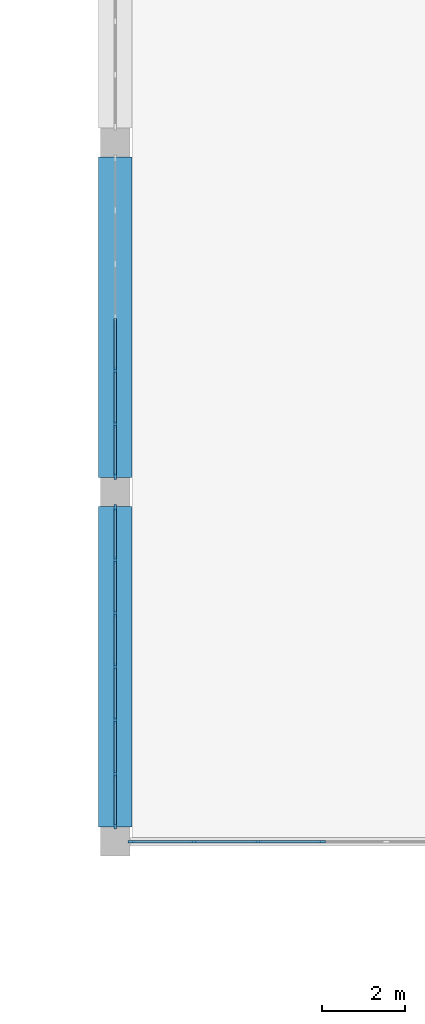
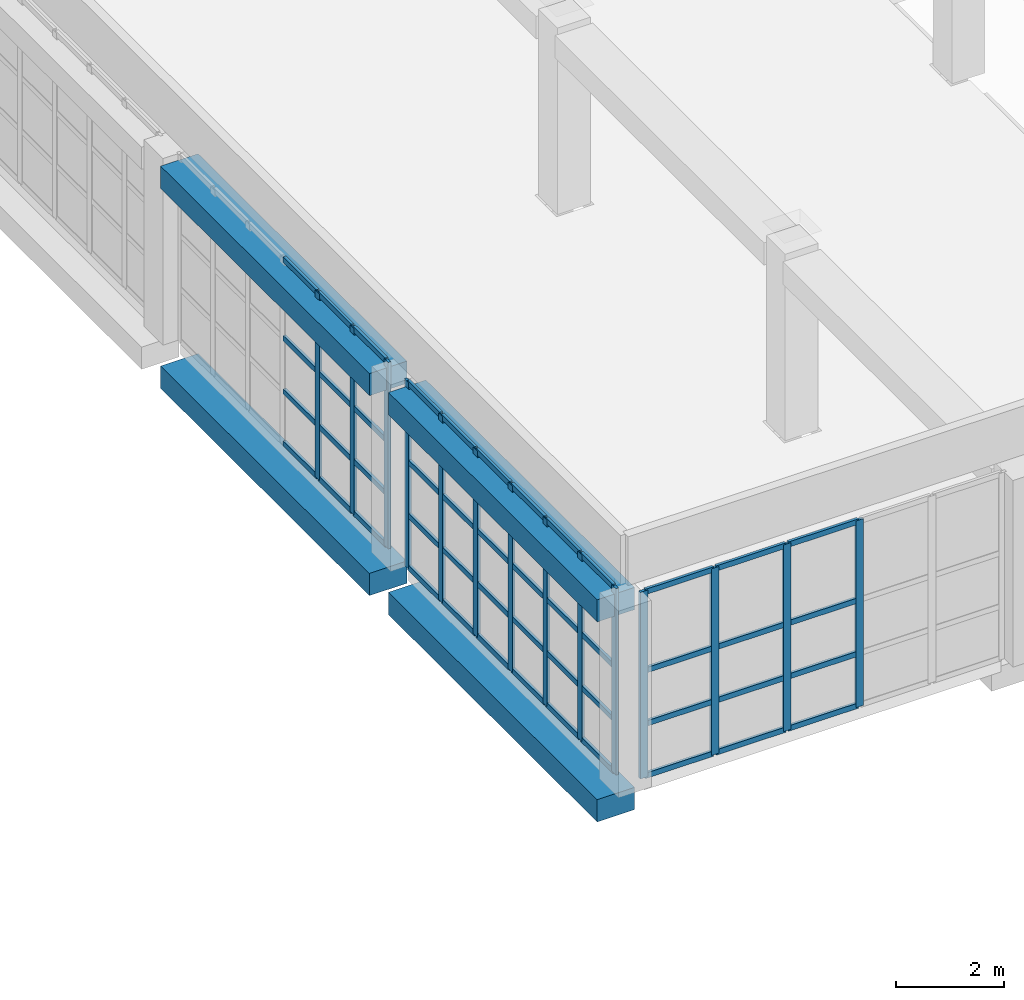
# One storey, part 36 of 162: 62 members, 4 beams, 3 elements without a shape of their own.
"""IFC4 building model written with IfcOpenShell, lengths in metres."""

from ifc_helpers import new_model, si_unit, direction, frame, origin, origin_2d, place, context, subcontext, project, spatial, rectangle, extrude, material, layer, layer_set, material_profile, profile_set, type_object, element, aggregate, save


model = new_model("IFC4")

# Units and contexts
model_context = context("Model", 3, precision=1e-05, world=origin(), true_north=direction((0.0, 1.0)))
body_context = subcontext(model_context, "Body", "Model", "MODEL_VIEW")
ifc_project = project(units=[si_unit("LENGTHUNIT", "METRE"), si_unit("AREAUNIT", "SQUARE_METRE"), si_unit("VOLUMEUNIT", "CUBIC_METRE"), si_unit("PLANEANGLEUNIT", "RADIAN"), si_unit("MASSUNIT", "GRAM", prefix="KILO")], contexts=[model_context])

# Site, building, storey
site_placement = place(None, origin())
site = spatial("IfcSite", under=ifc_project, at=site_placement, CompositionType="ELEMENT")
building_placement = place(site_placement, origin())
building = spatial("IfcBuilding", under=site, at=building_placement, Name="Rain Tree Exposition and Congress Centre", CompositionType="ELEMENT")
storey_placement = place(building_placement, frame((0.0, 0.0, 6.0)))
storey = spatial("IfcBuildingStorey", under=building, at=storey_placement, Name="L01", CompositionType="ELEMENT", Elevation=6.0)

# Curtain wall, members
ifc_material_1 = material(Name="Aluminium", Category="aluminium")
ifc_layer = layer(ifc_material_1, 0.10009765625)
ifc_layer_set = layer_set([ifc_layer], Name="Aluminium")
curtain_wall_type = type_object("IfcCurtainWallType", Name="Curtain wall congress", PredefinedType="NOTDEFINED", material=ifc_layer_set)
curtain_wall_1_placement = place(storey_placement, origin())
curtain_wall_1 = element("IfcCurtainWall", 1, at=curtain_wall_1_placement, inside=storey, type_object=curtain_wall_type, Name="Foyer curtain wall L01 bay 1", PredefinedType="NOTDEFINED")
ifc_material_2 = material(Name="Aluminium", Category="aluminium")
ifc_material_profile_1 = material_profile(ifc_material_2, rectangle(XDim=0.06005859375, YDim=0.159912109375, at=origin_2d()), Name="AL 60x160")
ifc_profile_set_1 = profile_set([ifc_material_profile_1], Name="Aluminium")
member_type_1 = type_object("IfcMemberType", Name="Curtain wall mullion 60x160 congress", PredefinedType="MULLION", material=ifc_profile_set_1)
member_1_placement = place(storey_placement, frame((151.199951171875, 8.780029296875, 0.0), z_axis=(0.0, 0.0, 1.0), x_axis=(-1.0, 0.0, 0.0)))
member_1 = element("IfcMember", 2, at=member_1_placement, type_object=member_type_1, Name="CWG401 mullion 1", PredefinedType="MULLION", context=body_context, shape_type="SweptSolid", body=[
    extrude(rectangle(XDim=0.06005859375, YDim=0.159912109375, at=origin_2d()), origin(), (0.0, 0.0, 1.0), 4.199951171875),
])
member_2_placement = place(storey_placement, frame((151.199951171875, 10.033447265625, 0.0), z_axis=(0.0, 0.0, 1.0), x_axis=(-1.0, 0.0, 0.0)))
member_2 = element("IfcMember", 3, at=member_2_placement, type_object=member_type_1, Name="CWG401 mullion 2", PredefinedType="MULLION", context=body_context, shape_type="SweptSolid", body=[
    extrude(rectangle(XDim=0.06005859375, YDim=0.159912109375, at=origin_2d()), origin(), (0.0, 0.0, 1.0), 4.199951171875),
])
member_3_placement = place(storey_placement, frame((151.199951171875, 11.316650390625, 0.0), z_axis=(0.0, 0.0, 1.0), x_axis=(-1.0, 0.0, 0.0)))
member_3 = element("IfcMember", 4, at=member_3_placement, type_object=member_type_1, Name="CWG401 mullion 3", PredefinedType="MULLION", context=body_context, shape_type="SweptSolid", body=[
    extrude(rectangle(XDim=0.06005859375, YDim=0.159912109375, at=origin_2d()), origin(), (0.0, 0.0, 1.0), 4.199951171875),
])
member_4_placement = place(storey_placement, frame((151.199951171875, 12.60009765625, 0.0), z_axis=(0.0, 0.0, 1.0), x_axis=(-1.0, 0.0, 0.0)))
member_4 = element("IfcMember", 5, at=member_4_placement, type_object=member_type_1, Name="CWG401 mullion 4", PredefinedType="MULLION", context=body_context, shape_type="SweptSolid", body=[
    extrude(rectangle(XDim=0.06005859375, YDim=0.159912109375, at=origin_2d()), origin(), (0.0, 0.0, 1.0), 4.199951171875),
])
member_5_placement = place(storey_placement, frame((151.199951171875, 13.88330078125, 0.0), z_axis=(0.0, 0.0, 1.0), x_axis=(-1.0, 0.0, 0.0)))
member_5 = element("IfcMember", 6, at=member_5_placement, type_object=member_type_1, Name="CWG401 mullion 5", PredefinedType="MULLION", context=body_context, shape_type="SweptSolid", body=[
    extrude(rectangle(XDim=0.06005859375, YDim=0.159912109375, at=origin_2d()), origin(), (0.0, 0.0, 1.0), 4.199951171875),
])
member_6_placement = place(storey_placement, frame((151.199951171875, 15.166748046875, 0.0), z_axis=(0.0, 0.0, 1.0), x_axis=(-1.0, 0.0, 0.0)))
member_6 = element("IfcMember", 7, at=member_6_placement, type_object=member_type_1, Name="CWG401 mullion 6", PredefinedType="MULLION", context=body_context, shape_type="SweptSolid", body=[
    extrude(rectangle(XDim=0.06005859375, YDim=0.159912109375, at=origin_2d()), origin(), (0.0, 0.0, 1.0), 4.199951171875),
])
member_7_placement = place(storey_placement, frame((151.199951171875, 16.419921875, 0.0), z_axis=(0.0, 0.0, 1.0), x_axis=(-1.0, 0.0, 0.0)))
member_7 = element("IfcMember", 8, at=member_7_placement, type_object=member_type_1, Name="CWG401 mullion 7", PredefinedType="MULLION", context=body_context, shape_type="SweptSolid", body=[
    extrude(rectangle(XDim=0.06005859375, YDim=0.159912109375, at=origin_2d()), origin(), (0.0, 0.0, 1.0), 4.199951171875),
])

curtain_wall_2_placement = place(storey_placement, origin())
curtain_wall_2 = element("IfcCurtainWall", 9, at=curtain_wall_2_placement, inside=storey, type_object=curtain_wall_type, Name="Foyer curtain wall L01 bay 2", PredefinedType="NOTDEFINED")
member_8_placement = place(storey_placement, frame((151.199951171875, 17.179931640625, 0.0), z_axis=(0.0, 0.0, 1.0), x_axis=(-1.0, 0.0, 0.0)))
member_8 = element("IfcMember", 10, at=member_8_placement, type_object=member_type_1, Name="CWG402 mullion 1", PredefinedType="MULLION", context=body_context, shape_type="SweptSolid", body=[
    extrude(rectangle(XDim=0.06005859375, YDim=0.159912109375, at=origin_2d()), origin(), (0.0, 0.0, 1.0), 4.199951171875),
])
member_9_placement = place(storey_placement, frame((151.199951171875, 18.433349609375, 0.0), z_axis=(0.0, 0.0, 1.0), x_axis=(-1.0, 0.0, 0.0)))
member_9 = element("IfcMember", 11, at=member_9_placement, type_object=member_type_1, Name="CWG402 mullion 2", PredefinedType="MULLION", context=body_context, shape_type="SweptSolid", body=[
    extrude(rectangle(XDim=0.06005859375, YDim=0.159912109375, at=origin_2d()), origin(), (0.0, 0.0, 1.0), 4.199951171875),
])
member_10_placement = place(storey_placement, frame((151.199951171875, 19.716552734375, 0.0), z_axis=(0.0, 0.0, 1.0), x_axis=(-1.0, 0.0, 0.0)))
member_10 = element("IfcMember", 12, at=member_10_placement, type_object=member_type_1, Name="CWG402 mullion 3", PredefinedType="MULLION", context=body_context, shape_type="SweptSolid", body=[
    extrude(rectangle(XDim=0.06005859375, YDim=0.159912109375, at=origin_2d()), origin(), (0.0, 0.0, 1.0), 4.199951171875),
])

curtain_wall_3_placement = place(storey_placement, origin())
curtain_wall_3 = element("IfcCurtainWall", 13, at=curtain_wall_3_placement, inside=storey, type_object=curtain_wall_type, Name="Foyer south curtain wall L01 bay 1", PredefinedType="NOTDEFINED")
member_11_placement = place(storey_placement, frame((151.580078125, 8.39990234375, 0.0), z_axis=(0.0, 0.0, 1.0), x_axis=(0.0, 1.0, 0.0)))
member_11 = element("IfcMember", 14, at=member_11_placement, type_object=member_type_1, Name="CWG601 mullion 1", PredefinedType="MULLION", context=body_context, shape_type="SweptSolid", body=[
    extrude(rectangle(XDim=0.06005859375, YDim=0.159912109375, at=origin_2d()), origin(), (0.0, 0.0, 1.0), 4.199951171875),
])
member_12_placement = place(storey_placement, frame((153.090087890625, 8.39990234375, 0.0), z_axis=(0.0, 0.0, 1.0), x_axis=(0.0, 1.0, 0.0)))
member_12 = element("IfcMember", 15, at=member_12_placement, type_object=member_type_1, Name="CWG601 mullion 2", PredefinedType="MULLION", context=body_context, shape_type="SweptSolid", body=[
    extrude(rectangle(XDim=0.06005859375, YDim=0.159912109375, at=origin_2d()), origin(), (0.0, 0.0, 1.0), 4.199951171875),
])
member_13_placement = place(storey_placement, frame((154.6298828125, 8.39990234375, 0.0), z_axis=(0.0, 0.0, 1.0), x_axis=(0.0, 1.0, 0.0)))
member_13 = element("IfcMember", 16, at=member_13_placement, type_object=member_type_1, Name="CWG601 mullion 3", PredefinedType="MULLION", context=body_context, shape_type="SweptSolid", body=[
    extrude(rectangle(XDim=0.06005859375, YDim=0.159912109375, at=origin_2d()), origin(), (0.0, 0.0, 1.0), 4.199951171875),
])
member_14_placement = place(storey_placement, frame((156.169921875, 8.39990234375, 0.0), z_axis=(0.0, 0.0, 1.0), x_axis=(0.0, 1.0, 0.0)))
member_14 = element("IfcMember", 17, at=member_14_placement, type_object=member_type_1, Name="CWG601 mullion 4", PredefinedType="MULLION", context=body_context, shape_type="SweptSolid", body=[
    extrude(rectangle(XDim=0.06005859375, YDim=0.159912109375, at=origin_2d()), origin(), (0.0, 0.0, 1.0), 4.199951171875),
])

# Member
ifc_material_3 = material(Name="Aluminium", Category="aluminium")
ifc_material_profile_2 = material_profile(ifc_material_3, rectangle(XDim=0.06005859375, YDim=0.1201171875, at=origin_2d()), Name="AL 60x120")
ifc_profile_set_2 = profile_set([ifc_material_profile_2], Name="Aluminium")
member_type_2 = type_object("IfcMemberType", Name="Curtain wall transom 60x120 congress", PredefinedType="USERDEFINED", material=ifc_profile_set_2)
member_15_placement = place(storey_placement, frame((151.199951171875, 8.81005859375, 0.030029296875), z_axis=(0.0, 1.0, 0.0), x_axis=(-1.0, 0.0, 0.0)))
member_15 = element("IfcMember", 18, at=member_15_placement, type_object=member_type_2, Name="CWG401 transom 1.1", ObjectType="TRANSOM", PredefinedType="USERDEFINED", context=body_context, shape_type="SweptSolid", body=[
    extrude(rectangle(XDim=0.06005859375, YDim=0.1201171875, at=origin_2d()), origin(), (0.0, 0.0, 1.0), 1.193359375),
])

member_16_placement = place(storey_placement, frame((151.199951171875, 8.81005859375, 1.199951171875), z_axis=(0.0, 1.0, 0.0), x_axis=(-1.0, 0.0, 0.0)))
member_16 = element("IfcMember", 19, at=member_16_placement, type_object=member_type_2, Name="CWG401 transom 1.2", ObjectType="TRANSOM", PredefinedType="USERDEFINED", context=body_context, shape_type="SweptSolid", body=[
    extrude(rectangle(XDim=0.06005859375, YDim=0.1201171875, at=origin_2d()), origin(), (0.0, 0.0, 1.0), 1.193359375),
])

member_17_placement = place(storey_placement, frame((151.199951171875, 8.81005859375, 2.39990234375), z_axis=(0.0, 1.0, 0.0), x_axis=(-1.0, 0.0, 0.0)))
member_17 = element("IfcMember", 20, at=member_17_placement, type_object=member_type_2, Name="CWG401 transom 1.3", ObjectType="TRANSOM", PredefinedType="USERDEFINED", context=body_context, shape_type="SweptSolid", body=[
    extrude(rectangle(XDim=0.06005859375, YDim=0.1201171875, at=origin_2d()), origin(), (0.0, 0.0, 1.0), 1.193359375),
])

member_18_placement = place(storey_placement, frame((151.199951171875, 8.81005859375, 4.169921875), z_axis=(0.0, 1.0, 0.0), x_axis=(-1.0, 0.0, 0.0)))
member_18 = element("IfcMember", 21, at=member_18_placement, type_object=member_type_2, Name="CWG401 transom 1.4", ObjectType="TRANSOM", PredefinedType="USERDEFINED", context=body_context, shape_type="SweptSolid", body=[
    extrude(rectangle(XDim=0.06005859375, YDim=0.1201171875, at=origin_2d()), origin(), (0.0, 0.0, 1.0), 1.193359375),
])

member_19_placement = place(storey_placement, frame((151.199951171875, 10.063232421875, 0.030029296875), z_axis=(0.0, 1.0, 0.0), x_axis=(-1.0, 0.0, 0.0)))
member_19 = element("IfcMember", 22, at=member_19_placement, type_object=member_type_2, Name="CWG401 transom 2.1", ObjectType="TRANSOM", PredefinedType="USERDEFINED", context=body_context, shape_type="SweptSolid", body=[
    extrude(rectangle(XDim=0.06005859375, YDim=0.1201171875, at=origin_2d()), origin(), (0.0, 0.0, 1.0), 1.223388671875),
])

member_20_placement = place(storey_placement, frame((151.199951171875, 10.063232421875, 1.199951171875), z_axis=(0.0, 1.0, 0.0), x_axis=(-1.0, 0.0, 0.0)))
member_20 = element("IfcMember", 23, at=member_20_placement, type_object=member_type_2, Name="CWG401 transom 2.2", ObjectType="TRANSOM", PredefinedType="USERDEFINED", context=body_context, shape_type="SweptSolid", body=[
    extrude(rectangle(XDim=0.06005859375, YDim=0.1201171875, at=origin_2d()), origin(), (0.0, 0.0, 1.0), 1.223388671875),
])

member_21_placement = place(storey_placement, frame((151.199951171875, 10.063232421875, 2.39990234375), z_axis=(0.0, 1.0, 0.0), x_axis=(-1.0, 0.0, 0.0)))
member_21 = element("IfcMember", 24, at=member_21_placement, type_object=member_type_2, Name="CWG401 transom 2.3", ObjectType="TRANSOM", PredefinedType="USERDEFINED", context=body_context, shape_type="SweptSolid", body=[
    extrude(rectangle(XDim=0.06005859375, YDim=0.1201171875, at=origin_2d()), origin(), (0.0, 0.0, 1.0), 1.223388671875),
])

member_22_placement = place(storey_placement, frame((151.199951171875, 10.063232421875, 4.169921875), z_axis=(0.0, 1.0, 0.0), x_axis=(-1.0, 0.0, 0.0)))
member_22 = element("IfcMember", 25, at=member_22_placement, type_object=member_type_2, Name="CWG401 transom 2.4", ObjectType="TRANSOM", PredefinedType="USERDEFINED", context=body_context, shape_type="SweptSolid", body=[
    extrude(rectangle(XDim=0.06005859375, YDim=0.1201171875, at=origin_2d()), origin(), (0.0, 0.0, 1.0), 1.223388671875),
])

member_23_placement = place(storey_placement, frame((151.199951171875, 11.3466796875, 0.030029296875), z_axis=(0.0, 1.0, 0.0), x_axis=(-1.0, 0.0, 0.0)))
member_23 = element("IfcMember", 26, at=member_23_placement, type_object=member_type_2, Name="CWG401 transom 3.1", ObjectType="TRANSOM", PredefinedType="USERDEFINED", context=body_context, shape_type="SweptSolid", body=[
    extrude(rectangle(XDim=0.06005859375, YDim=0.1201171875, at=origin_2d()), origin(), (0.0, 0.0, 1.0), 1.223388671875),
])

member_24_placement = place(storey_placement, frame((151.199951171875, 11.3466796875, 1.199951171875), z_axis=(0.0, 1.0, 0.0), x_axis=(-1.0, 0.0, 0.0)))
member_24 = element("IfcMember", 27, at=member_24_placement, type_object=member_type_2, Name="CWG401 transom 3.2", ObjectType="TRANSOM", PredefinedType="USERDEFINED", context=body_context, shape_type="SweptSolid", body=[
    extrude(rectangle(XDim=0.06005859375, YDim=0.1201171875, at=origin_2d()), origin(), (0.0, 0.0, 1.0), 1.223388671875),
])

member_25_placement = place(storey_placement, frame((151.199951171875, 11.3466796875, 2.39990234375), z_axis=(0.0, 1.0, 0.0), x_axis=(-1.0, 0.0, 0.0)))
member_25 = element("IfcMember", 28, at=member_25_placement, type_object=member_type_2, Name="CWG401 transom 3.3", ObjectType="TRANSOM", PredefinedType="USERDEFINED", context=body_context, shape_type="SweptSolid", body=[
    extrude(rectangle(XDim=0.06005859375, YDim=0.1201171875, at=origin_2d()), origin(), (0.0, 0.0, 1.0), 1.223388671875),
])

member_26_placement = place(storey_placement, frame((151.199951171875, 11.3466796875, 4.169921875), z_axis=(0.0, 1.0, 0.0), x_axis=(-1.0, 0.0, 0.0)))
member_26 = element("IfcMember", 29, at=member_26_placement, type_object=member_type_2, Name="CWG401 transom 3.4", ObjectType="TRANSOM", PredefinedType="USERDEFINED", context=body_context, shape_type="SweptSolid", body=[
    extrude(rectangle(XDim=0.06005859375, YDim=0.1201171875, at=origin_2d()), origin(), (0.0, 0.0, 1.0), 1.223388671875),
])

member_27_placement = place(storey_placement, frame((151.199951171875, 12.6298828125, 0.030029296875), z_axis=(0.0, 1.0, 0.0), x_axis=(-1.0, 0.0, 0.0)))
member_27 = element("IfcMember", 30, at=member_27_placement, type_object=member_type_2, Name="CWG401 transom 4.1", ObjectType="TRANSOM", PredefinedType="USERDEFINED", context=body_context, shape_type="SweptSolid", body=[
    extrude(rectangle(XDim=0.06005859375, YDim=0.1201171875, at=origin_2d()), origin(), (0.0, 0.0, 1.0), 1.223388671875),
])

member_28_placement = place(storey_placement, frame((151.199951171875, 12.6298828125, 1.199951171875), z_axis=(0.0, 1.0, 0.0), x_axis=(-1.0, 0.0, 0.0)))
member_28 = element("IfcMember", 31, at=member_28_placement, type_object=member_type_2, Name="CWG401 transom 4.2", ObjectType="TRANSOM", PredefinedType="USERDEFINED", context=body_context, shape_type="SweptSolid", body=[
    extrude(rectangle(XDim=0.06005859375, YDim=0.1201171875, at=origin_2d()), origin(), (0.0, 0.0, 1.0), 1.223388671875),
])

member_29_placement = place(storey_placement, frame((151.199951171875, 12.6298828125, 2.39990234375), z_axis=(0.0, 1.0, 0.0), x_axis=(-1.0, 0.0, 0.0)))
member_29 = element("IfcMember", 32, at=member_29_placement, type_object=member_type_2, Name="CWG401 transom 4.3", ObjectType="TRANSOM", PredefinedType="USERDEFINED", context=body_context, shape_type="SweptSolid", body=[
    extrude(rectangle(XDim=0.06005859375, YDim=0.1201171875, at=origin_2d()), origin(), (0.0, 0.0, 1.0), 1.223388671875),
])

member_30_placement = place(storey_placement, frame((151.199951171875, 12.6298828125, 4.169921875), z_axis=(0.0, 1.0, 0.0), x_axis=(-1.0, 0.0, 0.0)))
member_30 = element("IfcMember", 33, at=member_30_placement, type_object=member_type_2, Name="CWG401 transom 4.4", ObjectType="TRANSOM", PredefinedType="USERDEFINED", context=body_context, shape_type="SweptSolid", body=[
    extrude(rectangle(XDim=0.06005859375, YDim=0.1201171875, at=origin_2d()), origin(), (0.0, 0.0, 1.0), 1.223388671875),
])

member_31_placement = place(storey_placement, frame((151.199951171875, 13.913330078125, 0.030029296875), z_axis=(0.0, 1.0, 0.0), x_axis=(-1.0, 0.0, 0.0)))
member_31 = element("IfcMember", 34, at=member_31_placement, type_object=member_type_2, Name="CWG401 transom 5.1", ObjectType="TRANSOM", PredefinedType="USERDEFINED", context=body_context, shape_type="SweptSolid", body=[
    extrude(rectangle(XDim=0.06005859375, YDim=0.1201171875, at=origin_2d()), origin(), (0.0, 0.0, 1.0), 1.223388671875),
])

member_32_placement = place(storey_placement, frame((151.199951171875, 13.913330078125, 1.199951171875), z_axis=(0.0, 1.0, 0.0), x_axis=(-1.0, 0.0, 0.0)))
member_32 = element("IfcMember", 35, at=member_32_placement, type_object=member_type_2, Name="CWG401 transom 5.2", ObjectType="TRANSOM", PredefinedType="USERDEFINED", context=body_context, shape_type="SweptSolid", body=[
    extrude(rectangle(XDim=0.06005859375, YDim=0.1201171875, at=origin_2d()), origin(), (0.0, 0.0, 1.0), 1.223388671875),
])

member_33_placement = place(storey_placement, frame((151.199951171875, 13.913330078125, 2.39990234375), z_axis=(0.0, 1.0, 0.0), x_axis=(-1.0, 0.0, 0.0)))
member_33 = element("IfcMember", 36, at=member_33_placement, type_object=member_type_2, Name="CWG401 transom 5.3", ObjectType="TRANSOM", PredefinedType="USERDEFINED", context=body_context, shape_type="SweptSolid", body=[
    extrude(rectangle(XDim=0.06005859375, YDim=0.1201171875, at=origin_2d()), origin(), (0.0, 0.0, 1.0), 1.223388671875),
])

member_34_placement = place(storey_placement, frame((151.199951171875, 13.913330078125, 4.169921875), z_axis=(0.0, 1.0, 0.0), x_axis=(-1.0, 0.0, 0.0)))
member_34 = element("IfcMember", 37, at=member_34_placement, type_object=member_type_2, Name="CWG401 transom 5.4", ObjectType="TRANSOM", PredefinedType="USERDEFINED", context=body_context, shape_type="SweptSolid", body=[
    extrude(rectangle(XDim=0.06005859375, YDim=0.1201171875, at=origin_2d()), origin(), (0.0, 0.0, 1.0), 1.223388671875),
])

member_35_placement = place(storey_placement, frame((151.199951171875, 15.19677734375, 0.030029296875), z_axis=(0.0, 1.0, 0.0), x_axis=(-1.0, 0.0, 0.0)))
member_35 = element("IfcMember", 38, at=member_35_placement, type_object=member_type_2, Name="CWG401 transom 6.1", ObjectType="TRANSOM", PredefinedType="USERDEFINED", context=body_context, shape_type="SweptSolid", body=[
    extrude(rectangle(XDim=0.06005859375, YDim=0.1201171875, at=origin_2d()), origin(), (0.0, 0.0, 1.0), 1.193115234375),
])

member_36_placement = place(storey_placement, frame((151.199951171875, 15.19677734375, 1.199951171875), z_axis=(0.0, 1.0, 0.0), x_axis=(-1.0, 0.0, 0.0)))
member_36 = element("IfcMember", 39, at=member_36_placement, type_object=member_type_2, Name="CWG401 transom 6.2", ObjectType="TRANSOM", PredefinedType="USERDEFINED", context=body_context, shape_type="SweptSolid", body=[
    extrude(rectangle(XDim=0.06005859375, YDim=0.1201171875, at=origin_2d()), origin(), (0.0, 0.0, 1.0), 1.193115234375),
])

member_37_placement = place(storey_placement, frame((151.199951171875, 15.19677734375, 2.39990234375), z_axis=(0.0, 1.0, 0.0), x_axis=(-1.0, 0.0, 0.0)))
member_37 = element("IfcMember", 40, at=member_37_placement, type_object=member_type_2, Name="CWG401 transom 6.3", ObjectType="TRANSOM", PredefinedType="USERDEFINED", context=body_context, shape_type="SweptSolid", body=[
    extrude(rectangle(XDim=0.06005859375, YDim=0.1201171875, at=origin_2d()), origin(), (0.0, 0.0, 1.0), 1.193115234375),
])

member_38_placement = place(storey_placement, frame((151.199951171875, 15.19677734375, 4.169921875), z_axis=(0.0, 1.0, 0.0), x_axis=(-1.0, 0.0, 0.0)))
member_38 = element("IfcMember", 41, at=member_38_placement, type_object=member_type_2, Name="CWG401 transom 6.4", ObjectType="TRANSOM", PredefinedType="USERDEFINED", context=body_context, shape_type="SweptSolid", body=[
    extrude(rectangle(XDim=0.06005859375, YDim=0.1201171875, at=origin_2d()), origin(), (0.0, 0.0, 1.0), 1.193115234375),
])

aggregate(curtain_wall_1, [member_1, member_2, member_3, member_4, member_5, member_6, member_7, member_15, member_16, member_17, member_18, member_19, member_20, member_21, member_22, member_23, member_24, member_25, member_26, member_27, member_28, member_29, member_30, member_31, member_32, member_33, member_34, member_35, member_36, member_37, member_38])

member_39_placement = place(storey_placement, frame((151.199951171875, 17.2099609375, 0.030029296875), z_axis=(0.0, 1.0, 0.0), x_axis=(-1.0, 0.0, 0.0)))
member_39 = element("IfcMember", 42, at=member_39_placement, type_object=member_type_2, Name="CWG402 transom 1.1", ObjectType="TRANSOM", PredefinedType="USERDEFINED", context=body_context, shape_type="SweptSolid", body=[
    extrude(rectangle(XDim=0.06005859375, YDim=0.1201171875, at=origin_2d()), origin(), (0.0, 0.0, 1.0), 1.193359375),
])

member_40_placement = place(storey_placement, frame((151.199951171875, 17.2099609375, 1.199951171875), z_axis=(0.0, 1.0, 0.0), x_axis=(-1.0, 0.0, 0.0)))
member_40 = element("IfcMember", 43, at=member_40_placement, type_object=member_type_2, Name="CWG402 transom 1.2", ObjectType="TRANSOM", PredefinedType="USERDEFINED", context=body_context, shape_type="SweptSolid", body=[
    extrude(rectangle(XDim=0.06005859375, YDim=0.1201171875, at=origin_2d()), origin(), (0.0, 0.0, 1.0), 1.193359375),
])

member_41_placement = place(storey_placement, frame((151.199951171875, 17.2099609375, 2.39990234375), z_axis=(0.0, 1.0, 0.0), x_axis=(-1.0, 0.0, 0.0)))
member_41 = element("IfcMember", 44, at=member_41_placement, type_object=member_type_2, Name="CWG402 transom 1.3", ObjectType="TRANSOM", PredefinedType="USERDEFINED", context=body_context, shape_type="SweptSolid", body=[
    extrude(rectangle(XDim=0.06005859375, YDim=0.1201171875, at=origin_2d()), origin(), (0.0, 0.0, 1.0), 1.193359375),
])

member_42_placement = place(storey_placement, frame((151.199951171875, 17.2099609375, 4.169921875), z_axis=(0.0, 1.0, 0.0), x_axis=(-1.0, 0.0, 0.0)))
member_42 = element("IfcMember", 45, at=member_42_placement, type_object=member_type_2, Name="CWG402 transom 1.4", ObjectType="TRANSOM", PredefinedType="USERDEFINED", context=body_context, shape_type="SweptSolid", body=[
    extrude(rectangle(XDim=0.06005859375, YDim=0.1201171875, at=origin_2d()), origin(), (0.0, 0.0, 1.0), 1.193359375),
])

member_43_placement = place(storey_placement, frame((151.199951171875, 18.46337890625, 0.030029296875), z_axis=(0.0, 1.0, 0.0), x_axis=(-1.0, 0.0, 0.0)))
member_43 = element("IfcMember", 46, at=member_43_placement, type_object=member_type_2, Name="CWG402 transom 2.1", ObjectType="TRANSOM", PredefinedType="USERDEFINED", context=body_context, shape_type="SweptSolid", body=[
    extrude(rectangle(XDim=0.06005859375, YDim=0.1201171875, at=origin_2d()), origin(), (0.0, 0.0, 1.0), 1.223388671875),
])

member_44_placement = place(storey_placement, frame((151.199951171875, 18.46337890625, 1.199951171875), z_axis=(0.0, 1.0, 0.0), x_axis=(-1.0, 0.0, 0.0)))
member_44 = element("IfcMember", 47, at=member_44_placement, type_object=member_type_2, Name="CWG402 transom 2.2", ObjectType="TRANSOM", PredefinedType="USERDEFINED", context=body_context, shape_type="SweptSolid", body=[
    extrude(rectangle(XDim=0.06005859375, YDim=0.1201171875, at=origin_2d()), origin(), (0.0, 0.0, 1.0), 1.223388671875),
])

member_45_placement = place(storey_placement, frame((151.199951171875, 18.46337890625, 2.39990234375), z_axis=(0.0, 1.0, 0.0), x_axis=(-1.0, 0.0, 0.0)))
member_45 = element("IfcMember", 48, at=member_45_placement, type_object=member_type_2, Name="CWG402 transom 2.3", ObjectType="TRANSOM", PredefinedType="USERDEFINED", context=body_context, shape_type="SweptSolid", body=[
    extrude(rectangle(XDim=0.06005859375, YDim=0.1201171875, at=origin_2d()), origin(), (0.0, 0.0, 1.0), 1.223388671875),
])

member_46_placement = place(storey_placement, frame((151.199951171875, 18.46337890625, 4.169921875), z_axis=(0.0, 1.0, 0.0), x_axis=(-1.0, 0.0, 0.0)))
member_46 = element("IfcMember", 49, at=member_46_placement, type_object=member_type_2, Name="CWG402 transom 2.4", ObjectType="TRANSOM", PredefinedType="USERDEFINED", context=body_context, shape_type="SweptSolid", body=[
    extrude(rectangle(XDim=0.06005859375, YDim=0.1201171875, at=origin_2d()), origin(), (0.0, 0.0, 1.0), 1.223388671875),
])

member_47_placement = place(storey_placement, frame((151.199951171875, 19.74658203125, 0.030029296875), z_axis=(0.0, 1.0, 0.0), x_axis=(-1.0, 0.0, 0.0)))
member_47 = element("IfcMember", 50, at=member_47_placement, type_object=member_type_2, Name="CWG402 transom 3.1", ObjectType="TRANSOM", PredefinedType="USERDEFINED", context=body_context, shape_type="SweptSolid", body=[
    extrude(rectangle(XDim=0.06005859375, YDim=0.1201171875, at=origin_2d()), origin(), (0.0, 0.0, 1.0), 1.223388671875),
])

member_48_placement = place(storey_placement, frame((151.199951171875, 19.74658203125, 1.199951171875), z_axis=(0.0, 1.0, 0.0), x_axis=(-1.0, 0.0, 0.0)))
member_48 = element("IfcMember", 51, at=member_48_placement, type_object=member_type_2, Name="CWG402 transom 3.2", ObjectType="TRANSOM", PredefinedType="USERDEFINED", context=body_context, shape_type="SweptSolid", body=[
    extrude(rectangle(XDim=0.06005859375, YDim=0.1201171875, at=origin_2d()), origin(), (0.0, 0.0, 1.0), 1.223388671875),
])

member_49_placement = place(storey_placement, frame((151.199951171875, 19.74658203125, 2.39990234375), z_axis=(0.0, 1.0, 0.0), x_axis=(-1.0, 0.0, 0.0)))
member_49 = element("IfcMember", 52, at=member_49_placement, type_object=member_type_2, Name="CWG402 transom 3.3", ObjectType="TRANSOM", PredefinedType="USERDEFINED", context=body_context, shape_type="SweptSolid", body=[
    extrude(rectangle(XDim=0.06005859375, YDim=0.1201171875, at=origin_2d()), origin(), (0.0, 0.0, 1.0), 1.223388671875),
])

member_50_placement = place(storey_placement, frame((151.199951171875, 19.74658203125, 4.169921875), z_axis=(0.0, 1.0, 0.0), x_axis=(-1.0, 0.0, 0.0)))
member_50 = element("IfcMember", 53, at=member_50_placement, type_object=member_type_2, Name="CWG402 transom 3.4", ObjectType="TRANSOM", PredefinedType="USERDEFINED", context=body_context, shape_type="SweptSolid", body=[
    extrude(rectangle(XDim=0.06005859375, YDim=0.1201171875, at=origin_2d()), origin(), (0.0, 0.0, 1.0), 1.223388671875),
])

aggregate(curtain_wall_2, [member_8, member_9, member_10, member_39, member_40, member_41, member_42, member_43, member_44, member_45, member_46, member_47, member_48, member_49, member_50])

member_51_placement = place(storey_placement, frame((151.610107421875, 8.39990234375, 0.030029296875), z_axis=(1.0, 0.0, 0.0), x_axis=(0.0, 1.0, 0.0)))
member_51 = element("IfcMember", 54, at=member_51_placement, type_object=member_type_2, Name="CWG601 transom 1.1", ObjectType="TRANSOM", PredefinedType="USERDEFINED", context=body_context, shape_type="SweptSolid", body=[
    extrude(rectangle(XDim=0.06005859375, YDim=0.1201171875, at=origin_2d()), origin(), (0.0, 0.0, 1.0), 1.449951171875),
])

member_52_placement = place(storey_placement, frame((151.610107421875, 8.39990234375, 1.199951171875), z_axis=(1.0, 0.0, 0.0), x_axis=(0.0, 1.0, 0.0)))
member_52 = element("IfcMember", 55, at=member_52_placement, type_object=member_type_2, Name="CWG601 transom 1.2", ObjectType="TRANSOM", PredefinedType="USERDEFINED", context=body_context, shape_type="SweptSolid", body=[
    extrude(rectangle(XDim=0.06005859375, YDim=0.1201171875, at=origin_2d()), origin(), (0.0, 0.0, 1.0), 1.449951171875),
])

member_53_placement = place(storey_placement, frame((151.610107421875, 8.39990234375, 2.39990234375), z_axis=(1.0, 0.0, 0.0), x_axis=(0.0, 1.0, 0.0)))
member_53 = element("IfcMember", 56, at=member_53_placement, type_object=member_type_2, Name="CWG601 transom 1.3", ObjectType="TRANSOM", PredefinedType="USERDEFINED", context=body_context, shape_type="SweptSolid", body=[
    extrude(rectangle(XDim=0.06005859375, YDim=0.1201171875, at=origin_2d()), origin(), (0.0, 0.0, 1.0), 1.449951171875),
])

member_54_placement = place(storey_placement, frame((151.610107421875, 8.39990234375, 4.169921875), z_axis=(1.0, 0.0, 0.0), x_axis=(0.0, 1.0, 0.0)))
member_54 = element("IfcMember", 57, at=member_54_placement, type_object=member_type_2, Name="CWG601 transom 1.4", ObjectType="TRANSOM", PredefinedType="USERDEFINED", context=body_context, shape_type="SweptSolid", body=[
    extrude(rectangle(XDim=0.06005859375, YDim=0.1201171875, at=origin_2d()), origin(), (0.0, 0.0, 1.0), 1.449951171875),
])

member_55_placement = place(storey_placement, frame((153.1201171875, 8.39990234375, 0.030029296875), z_axis=(1.0, 0.0, 0.0), x_axis=(0.0, 1.0, 0.0)))
member_55 = element("IfcMember", 58, at=member_55_placement, type_object=member_type_2, Name="CWG601 transom 2.1", ObjectType="TRANSOM", PredefinedType="USERDEFINED", context=body_context, shape_type="SweptSolid", body=[
    extrude(rectangle(XDim=0.06005859375, YDim=0.1201171875, at=origin_2d()), origin(), (0.0, 0.0, 1.0), 1.47998046875),
])

member_56_placement = place(storey_placement, frame((153.1201171875, 8.39990234375, 1.199951171875), z_axis=(1.0, 0.0, 0.0), x_axis=(0.0, 1.0, 0.0)))
member_56 = element("IfcMember", 59, at=member_56_placement, type_object=member_type_2, Name="CWG601 transom 2.2", ObjectType="TRANSOM", PredefinedType="USERDEFINED", context=body_context, shape_type="SweptSolid", body=[
    extrude(rectangle(XDim=0.06005859375, YDim=0.1201171875, at=origin_2d()), origin(), (0.0, 0.0, 1.0), 1.47998046875),
])

member_57_placement = place(storey_placement, frame((153.1201171875, 8.39990234375, 2.39990234375), z_axis=(1.0, 0.0, 0.0), x_axis=(0.0, 1.0, 0.0)))
member_57 = element("IfcMember", 60, at=member_57_placement, type_object=member_type_2, Name="CWG601 transom 2.3", ObjectType="TRANSOM", PredefinedType="USERDEFINED", context=body_context, shape_type="SweptSolid", body=[
    extrude(rectangle(XDim=0.06005859375, YDim=0.1201171875, at=origin_2d()), origin(), (0.0, 0.0, 1.0), 1.47998046875),
])

member_58_placement = place(storey_placement, frame((153.1201171875, 8.39990234375, 4.169921875), z_axis=(1.0, 0.0, 0.0), x_axis=(0.0, 1.0, 0.0)))
member_58 = element("IfcMember", 61, at=member_58_placement, type_object=member_type_2, Name="CWG601 transom 2.4", ObjectType="TRANSOM", PredefinedType="USERDEFINED", context=body_context, shape_type="SweptSolid", body=[
    extrude(rectangle(XDim=0.06005859375, YDim=0.1201171875, at=origin_2d()), origin(), (0.0, 0.0, 1.0), 1.47998046875),
])

member_59_placement = place(storey_placement, frame((154.659912109375, 8.39990234375, 0.030029296875), z_axis=(1.0, 0.0, 0.0), x_axis=(0.0, 1.0, 0.0)))
member_59 = element("IfcMember", 62, at=member_59_placement, type_object=member_type_2, Name="CWG601 transom 3.1", ObjectType="TRANSOM", PredefinedType="USERDEFINED", context=body_context, shape_type="SweptSolid", body=[
    extrude(rectangle(XDim=0.06005859375, YDim=0.1201171875, at=origin_2d()), origin(), (0.0, 0.0, 1.0), 1.47998046875),
])

member_60_placement = place(storey_placement, frame((154.659912109375, 8.39990234375, 1.199951171875), z_axis=(1.0, 0.0, 0.0), x_axis=(0.0, 1.0, 0.0)))
member_60 = element("IfcMember", 63, at=member_60_placement, type_object=member_type_2, Name="CWG601 transom 3.2", ObjectType="TRANSOM", PredefinedType="USERDEFINED", context=body_context, shape_type="SweptSolid", body=[
    extrude(rectangle(XDim=0.06005859375, YDim=0.1201171875, at=origin_2d()), origin(), (0.0, 0.0, 1.0), 1.47998046875),
])

member_61_placement = place(storey_placement, frame((154.659912109375, 8.39990234375, 2.39990234375), z_axis=(1.0, 0.0, 0.0), x_axis=(0.0, 1.0, 0.0)))
member_61 = element("IfcMember", 64, at=member_61_placement, type_object=member_type_2, Name="CWG601 transom 3.3", ObjectType="TRANSOM", PredefinedType="USERDEFINED", context=body_context, shape_type="SweptSolid", body=[
    extrude(rectangle(XDim=0.06005859375, YDim=0.1201171875, at=origin_2d()), origin(), (0.0, 0.0, 1.0), 1.47998046875),
])

member_62_placement = place(storey_placement, frame((154.659912109375, 8.39990234375, 4.169921875), z_axis=(1.0, 0.0, 0.0), x_axis=(0.0, 1.0, 0.0)))
member_62 = element("IfcMember", 65, at=member_62_placement, type_object=member_type_2, Name="CWG601 transom 3.4", ObjectType="TRANSOM", PredefinedType="USERDEFINED", context=body_context, shape_type="SweptSolid", body=[
    extrude(rectangle(XDim=0.06005859375, YDim=0.1201171875, at=origin_2d()), origin(), (0.0, 0.0, 1.0), 1.47998046875),
])

aggregate(curtain_wall_3, [member_11, member_12, member_13, member_14, member_51, member_52, member_53, member_54, member_55, member_56, member_57, member_58, member_59, member_60, member_61, member_62])

# Beams
ifc_material_4 = material(Name="Precast concrete C50/60", Category="concrete")
ifc_material_profile_3 = material_profile(ifc_material_4, rectangle(XDim=0.5, YDim=0.800048828125, at=origin_2d()), Name="RC 500x800")
ifc_profile_set_3 = profile_set([ifc_material_profile_3], Name="Precast concrete C50/60")
beam_type = type_object("IfcBeamType", Name="Precast beam 500x800", PredefinedType="BEAM", material=ifc_profile_set_3)
beam_1_placement = place(storey_placement, frame((151.199951171875, 8.75, -0.699951171875), z_axis=(0.0, 1.0, 0.0), x_axis=(0.0, 0.0, 1.0)))
element("IfcBeam", 66, at=beam_1_placement, inside=storey, type_object=beam_type, Name="Foyer beam", PredefinedType="BEAM", context=body_context, shape_type="SweptSolid", body=[
    extrude(rectangle(XDim=0.5, YDim=0.800048828125, at=origin_2d()), origin(), (0.0, 0.0, 1.0), 7.699951171875),
])
beam_2_placement = place(storey_placement, frame((151.199951171875, 17.14990234375, -0.699951171875), z_axis=(0.0, 1.0, 0.0), x_axis=(0.0, 0.0, 1.0)))
element("IfcBeam", 67, at=beam_2_placement, inside=storey, type_object=beam_type, Name="Foyer beam", PredefinedType="BEAM", context=body_context, shape_type="SweptSolid", body=[
    extrude(rectangle(XDim=0.5, YDim=0.800048828125, at=origin_2d()), origin(), (0.0, 0.0, 1.0), 7.7001953125),
])
beam_3_placement = place(storey_placement, frame((151.199951171875, 8.75, 3.800048828125), z_axis=(0.0, 1.0, 0.0), x_axis=(0.0, 0.0, 1.0)))
element("IfcBeam", 68, at=beam_3_placement, inside=storey, type_object=beam_type, Name="Foyer beam", PredefinedType="BEAM", context=body_context, shape_type="SweptSolid", body=[
    extrude(rectangle(XDim=0.5, YDim=0.800048828125, at=origin_2d()), origin(), (0.0, 0.0, 1.0), 7.699951171875),
])
beam_4_placement = place(storey_placement, frame((151.199951171875, 17.14990234375, 3.800048828125), z_axis=(0.0, 1.0, 0.0), x_axis=(0.0, 0.0, 1.0)))
element("IfcBeam", 69, at=beam_4_placement, inside=storey, type_object=beam_type, Name="Foyer beam", PredefinedType="BEAM", context=body_context, shape_type="SweptSolid", body=[
    extrude(rectangle(XDim=0.5, YDim=0.800048828125, at=origin_2d()), origin(), (0.0, 0.0, 1.0), 7.7001953125),
])

save(model, "model.ifc")
